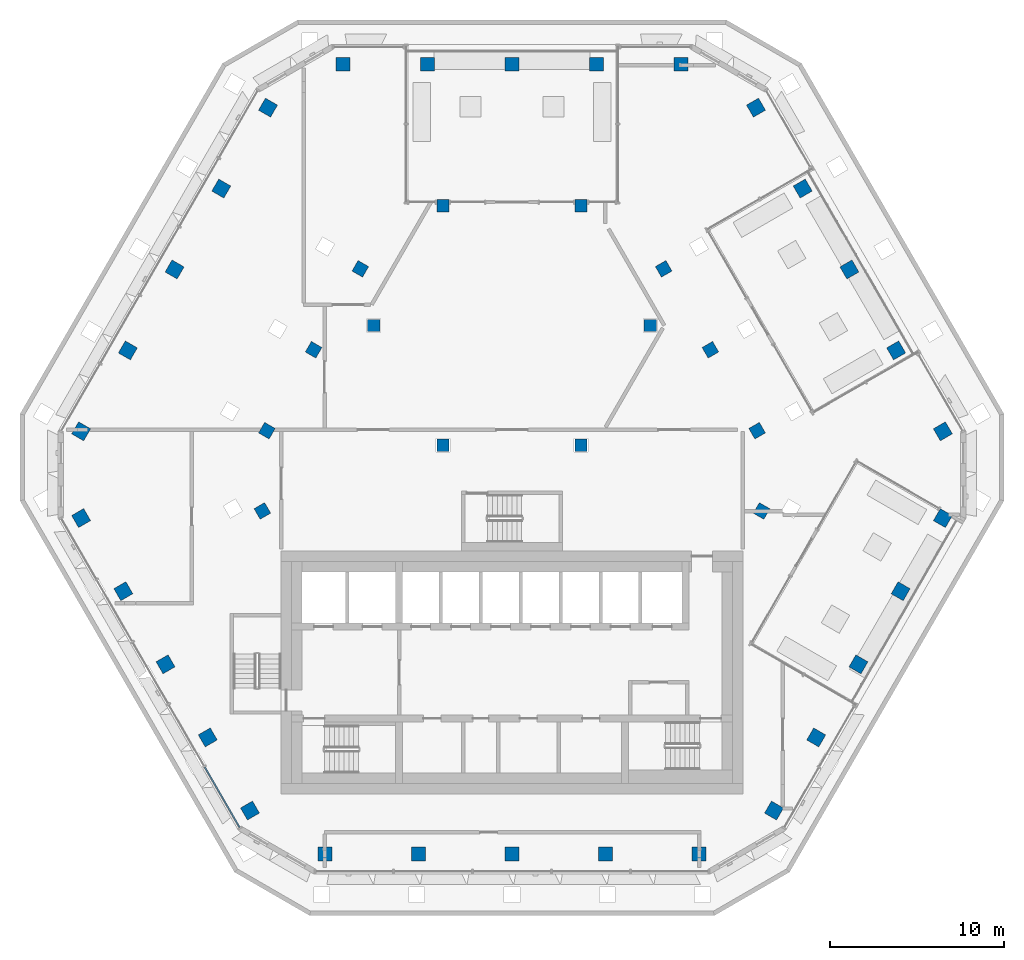
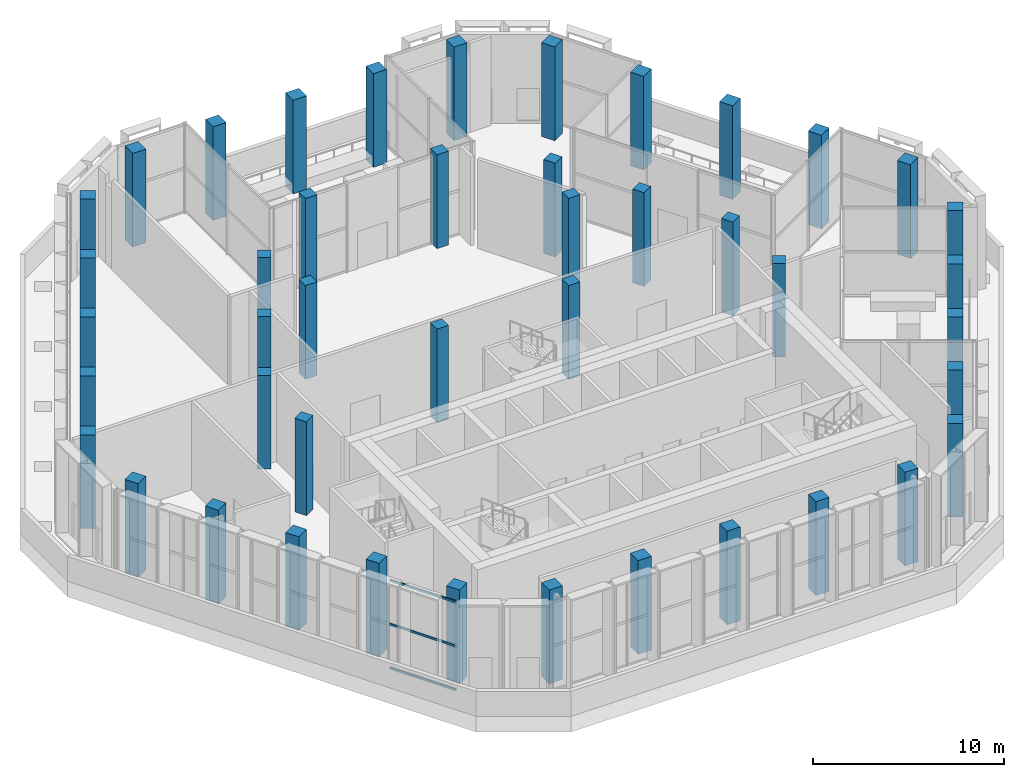
# One storey, part 1 of 23: 44 columns, 3 members, 1 element without a shape of its own.
"""IFC4 building model written with IfcOpenShell, lengths in metres."""

from ifc_helpers import new_model, si_unit, direction, frame, origin, origin_2d, place, context, subcontext, project, spatial, rectangle, hollow_rectangle, extrude, material, material_profile, profile_set, type_object, element, aggregate, save


model = new_model("IFC4")

# Units and contexts
model_context = context("Model", 3, precision=1e-05, world=origin(), true_north=direction((0.0, 1.0)))
body_context = subcontext(model_context, "Body", "Model", "MODEL_VIEW")
ifc_project = project(units=[si_unit("LENGTHUNIT", "METRE"), si_unit("AREAUNIT", "SQUARE_METRE"), si_unit("VOLUMEUNIT", "CUBIC_METRE"), si_unit("PLANEANGLEUNIT", "RADIAN"), si_unit("MASSUNIT", "GRAM", prefix="KILO")], contexts=[model_context])

# Site, building, storey
site_placement = place(None, origin())
site = spatial("IfcSite", under=ifc_project, at=site_placement, CompositionType="ELEMENT")
building_placement = place(site_placement, origin())
building = spatial("IfcBuilding", under=site, at=building_placement, Name="Beryl Residences", CompositionType="ELEMENT")
storey_placement = place(building_placement, frame((0.0, 0.0, 157.199951171875)))
storey = spatial("IfcBuildingStorey", under=building, at=storey_placement, Name="L48", CompositionType="ELEMENT", Elevation=157.199951171875)

# Columns
ifc_material_1 = material(Name="Concrete C50/60", Category="concrete")
ifc_material_profile_1 = material_profile(ifc_material_1, rectangle(XDim=0.800048828125, YDim=0.800048828125, at=origin_2d()))
ifc_profile_set_1 = profile_set([ifc_material_profile_1], Name="Concrete C50/60")
column_type_1 = type_object("IfcColumnType", Name="C4 tube column 800 x 800 C50/60", PredefinedType="COLUMN", material=ifc_profile_set_1)
for number, where, z_axis, x_axis, name in (
    (1, (9.72802734375, 23.050048828125, 0.0), (0.0, 0.0, 1.0), (-1.0, 0.0, 0.0), "C4-N1 L48"),
    (2, (4.864013671875, 23.050048828125, 0.0), (0.0, 0.0, 1.0), (-1.0, 0.0, 0.0), "C4-N2 L48"),
    (3, (0.0, 23.050048828125, 0.0), (0.0, 0.0, 1.0), (-1.0, 0.0, 0.0), "C4-N3 L48"),
    (4, (-4.864013671875, 23.050048828125, 0.0), (0.0, 0.0, 1.0), (-1.0, 0.0, 0.0), "C4-N4 L48"),
    (5, (-9.72802734375, 23.050048828125, 0.0), (0.0, 0.0, 1.0), (-1.0, 0.0, 0.0), "C4-N5 L48"),
    (6, (-14.05810546875, 20.550048828125, 0.0), (0.0, 0.0, 1.0), (-0.5, -0.866025403784, 0.0), "C4-NW1 L48"),
    (7, (-16.75, 15.887939453125, 0.0), (0.0, 0.0, 1.0), (-0.5, -0.866025403784, 0.0), "C4-NW2 L48"),
    (8, (-19.44189453125, 11.22509765625, 0.0), (0.0, 0.0, 1.0), (-0.5, -0.866025403784, 0.0), "C4-NW3 L48"),
    (9, (-22.134033203125, 6.56201171875, 0.0), (0.0, 0.0, 1.0), (-0.5, -0.866025403784, 0.0), "C4-NW4 L48"),
    (10, (-24.825927734375, 1.89990234375, 0.0), (0.0, 0.0, 1.0), (-0.5, -0.866025403784, 0.0), "C4-NW5 L48"),
    (11, (-24.825927734375, -3.09912109375, 0.0), (0.0, 0.0, 1.0), (0.5, -0.866025403784, 0.0), "C4-SW1 L48"),
    (12, (-22.39404296875, -7.31201171875, 0.0), (0.0, 0.0, 1.0), (0.5, -0.866025403784, 0.0), "C4-SW2 L48"),
    (13, (-19.9619140625, -11.52392578125, 0.0), (0.0, 0.0, 1.0), (0.5, -0.866025403784, 0.0), "C4-SW3 L48"),
    (14, (-17.530029296875, -15.736083984375, 0.0), (0.0, 0.0, 1.0), (0.5, -0.866025403784, 0.0), "C4-SW4 L48"),
    (15, (-15.097900390625, -19.948974609375, 0.0), (0.0, 0.0, 1.0), (0.5, -0.866025403784, 0.0), "C4-SW5 L48"),
    (16, (-10.76708984375, -22.449951171875, 0.0), (0.0, 0.0, 1.0), (1.0, 0.0, 0.0), "C4-S1 L48"),
    (17, (-5.383056640625, -22.449951171875, 0.0), (0.0, 0.0, 1.0), (1.0, 0.0, 0.0), "C4-S2 L48"),
    (18, (0.0009765625, -22.449951171875, 0.0), (0.0, 0.0, 1.0), (1.0, 0.0, 0.0), "C4-S3 L48"),
    (19, (5.385009765625, -22.449951171875, 0.0), (0.0, 0.0, 1.0), (1.0, 0.0, 0.0), "C4-S4 L48"),
    (20, (10.76904296875, -22.449951171875, 0.0), (0.0, 0.0, 1.0), (1.0, 0.0, 0.0), "C4-S5 L48"),
    (21, (15.096923828125, -19.950927734375, 0.0), (0.0, 0.0, 1.0), (0.5, 0.866025403784, 0.0), "C4-SE1 L48"),
    (22, (17.529052734375, -15.738037109375, 0.0), (0.0, 0.0, 1.0), (0.5, 0.866025403784, 0.0), "C4-SE2 L48"),
    (23, (19.9609375, -11.52587890625, 0.0), (0.0, 0.0, 1.0), (0.5, 0.866025403784, 0.0), "C4-SE3 L48"),
    (24, (22.39306640625, -7.31396484375, 0.0), (0.0, 0.0, 1.0), (0.5, 0.866025403784, 0.0), "C4-SE4 L48"),
    (25, (24.824951171875, -3.10107421875, 0.0), (0.0, 0.0, 1.0), (0.5, 0.866025403784, 0.0), "C4-SE5 L48"),
    (26, (24.825927734375, 1.89990234375, 0.0), (0.0, 0.0, 1.0), (-0.5, 0.866025403784, 0.0), "C4-NE1 L48"),
    (27, (22.134033203125, 6.56201171875, 0.0), (0.0, 0.0, 1.0), (-0.5, 0.866025403784, 0.0), "C4-NE2 L48"),
    (28, (19.44189453125, 11.22509765625, 0.0), (0.0, 0.0, 1.0), (-0.5, 0.866025403784, 0.0), "C4-NE3 L48"),
    (29, (16.75, 15.887939453125, 0.0), (0.0, 0.0, 1.0), (-0.5, 0.866025403784, 0.0), "C4-NE4 L48"),
    (30, (14.05810546875, 20.550048828125, 0.0), (0.0, 0.0, 1.0), (-0.5, 0.866025403784, 0.0), "C4-NE5 L48"),
):
    element("IfcColumn", number, at=place(storey_placement, frame(where, z_axis=z_axis, x_axis=x_axis)), inside=storey, type_object=column_type_1, Name=name, PredefinedType="COLUMN", context=body_context, shape_type="SweptSolid", body=[
        extrude(rectangle(XDim=0.800048828125, YDim=0.800048828125, at=origin_2d()), origin(), (0.0, 0.0, 1.0), 6.0),
    ])
ifc_material_2 = material(Name="Concrete C50/60", Category="concrete")
ifc_material_profile_2 = material_profile(ifc_material_2, rectangle(XDim=0.699951171875, YDim=0.699951171875, at=origin_2d()))
ifc_profile_set_2 = profile_set([ifc_material_profile_2], Name="Concrete C50/60")
column_type_2 = type_object("IfcColumnType", Name="IC4 interior column 700 x 700 C50/60", PredefinedType="COLUMN", material=ifc_profile_set_2)
for number, where, z_axis, x_axis, name in (
    (31, (-14.383056640625, -2.68701171875, 0.0), (0.0, 0.0, 1.0), (0.5, -0.866025403784, 0.0), "IC4-M01 L48"),
    (32, (14.382080078125, -2.68896484375, 0.0), (0.0, 0.0, 1.0), (0.5, 0.866025403784, 0.0), "IC4-M02 L48"),
    (33, (14.123046875, 1.93701171875, 0.0), (0.0, 0.0, 1.0), (-0.5, 0.866025403784, 0.0), "IC4-M03 L48"),
    (34, (3.98388671875, 1.10009765625, 0.0), (0.0, 0.0, 1.0), (1.0, 0.0, 0.0), "IC4-A04 L48"),
    (35, (11.430908203125, 6.60009765625, 0.0), (0.0, 0.0, 1.0), (-0.5, 0.866025403784, 0.0), "IC4-M05 L48"),
    (36, (7.967041015625, 8.0, 0.0), (0.0, 0.0, 1.0), (1.0, 0.0, 0.0), "IC4-A06 L48"),
    (37, (8.739013671875, 11.262939453125, 0.0), (0.0, 0.0, 1.0), (-0.5, 0.866025403784, 0.0), "IC4-M07 L48"),
    (38, (3.98388671875, 14.89990234375, 0.0), (0.0, 0.0, 1.0), (1.0, 0.0, 0.0), "IC4-A08 L48"),
    (39, (-3.98388671875, 14.89990234375, 0.0), (0.0, 0.0, 1.0), (1.0, 0.0, 0.0), "IC4-A09 L48"),
    (40, (-8.739013671875, 11.262939453125, 0.0), (0.0, 0.0, 1.0), (-0.5, -0.866025403784, 0.0), "IC4-M10 L48"),
    (41, (-7.967041015625, 8.0, 0.0), (0.0, 0.0, 1.0), (1.0, 0.0, 0.0), "IC4-A11 L48"),
    (42, (-11.430908203125, 6.60009765625, 0.0), (0.0, 0.0, 1.0), (-0.5, -0.866025403784, 0.0), "IC4-M12 L48"),
    (43, (-3.98388671875, 1.10009765625, 0.0), (0.0, 0.0, 1.0), (1.0, 0.0, 0.0), "IC4-A13 L48"),
    (44, (-14.123046875, 1.93701171875, 0.0), (0.0, 0.0, 1.0), (-0.5, -0.866025403784, 0.0), "IC4-M14 L48"),
):
    element("IfcColumn", number, at=place(storey_placement, frame(where, z_axis=z_axis, x_axis=x_axis)), inside=storey, type_object=column_type_2, Name=name, PredefinedType="COLUMN", context=body_context, shape_type="SweptSolid", body=[
        extrude(rectangle(XDim=0.699951171875, YDim=0.699951171875, at=origin_2d()), origin(), (0.0, 0.0, 1.0), 6.0),
    ])

# Curtain wall, members
ifc_material_3 = material(Name="Aluminium and clear glass", Category="aluminium")
curtain_wall_type = type_object("IfcCurtainWallType", Name="CW3 sky garden glazing glazed wall", PredefinedType="NOTDEFINED", material=ifc_material_3)
curtain_wall_placement = place(storey_placement, origin())
curtain_wall = element("IfcCurtainWall", 45, at=curtain_wall_placement, inside=storey, type_object=curtain_wall_type, Name="CW3 L48 SW", PredefinedType="NOTDEFINED")
ifc_material_4 = material(Name="Aluminium", Category="aluminium")
ifc_material_profile_3 = material_profile(ifc_material_4, hollow_rectangle(XDim=0.080078125, YDim=0.139892578125, WallThickness=0.00390625, at=origin_2d()))
ifc_profile_set_3 = profile_set([ifc_material_profile_3], Name="Aluminium")
member_type = type_object("IfcMemberType", Name="CW3-T transom 80 x 140 mm", PredefinedType="USERDEFINED", material=ifc_profile_set_3)
member_1_placement = place(storey_placement, frame((-17.701416015625, -17.438720703125, 0.0400390625), z_axis=(0.500037819361, -0.866003567665, 0.0), x_axis=(0.866003567665, 0.500037819361, 0.0)))
member_1 = element("IfcMember", 46, at=member_1_placement, type_object=member_type, Name="CW3 transom 5.1", ObjectType="TRANSOM", PredefinedType="USERDEFINED", context=body_context, shape_type="SweptSolid", body=[
    extrude(hollow_rectangle(XDim=0.080078125, YDim=0.139892578125, WallThickness=0.00390625, at=origin_2d()), origin(), (0.0, 0.0, 1.0), 4.020751953125),
])
member_2_placement = place(storey_placement, frame((-17.701416015625, -17.438720703125, 2.85009765625), z_axis=(0.500037819361, -0.866003567665, 0.0), x_axis=(0.866003567665, 0.500037819361, 0.0)))
member_2 = element("IfcMember", 47, at=member_2_placement, type_object=member_type, Name="CW3 transom 5.2", ObjectType="TRANSOM", PredefinedType="USERDEFINED", context=body_context, shape_type="SweptSolid", body=[
    extrude(hollow_rectangle(XDim=0.080078125, YDim=0.139892578125, WallThickness=0.00390625, at=origin_2d()), origin(), (0.0, 0.0, 1.0), 4.020751953125),
])
member_3_placement = place(storey_placement, frame((-17.701416015625, -17.438720703125, 5.66015625), z_axis=(0.500037819361, -0.866003567665, 0.0), x_axis=(0.866003567665, 0.500037819361, 0.0)))
member_3 = element("IfcMember", 48, at=member_3_placement, type_object=member_type, Name="CW3 transom 5.3", ObjectType="TRANSOM", PredefinedType="USERDEFINED", context=body_context, shape_type="SweptSolid", body=[
    extrude(hollow_rectangle(XDim=0.080078125, YDim=0.139892578125, WallThickness=0.00390625, at=origin_2d()), origin(), (0.0, 0.0, 1.0), 4.020751953125),
])
aggregate(curtain_wall, [member_1, member_2, member_3])

save(model, "model.ifc")
